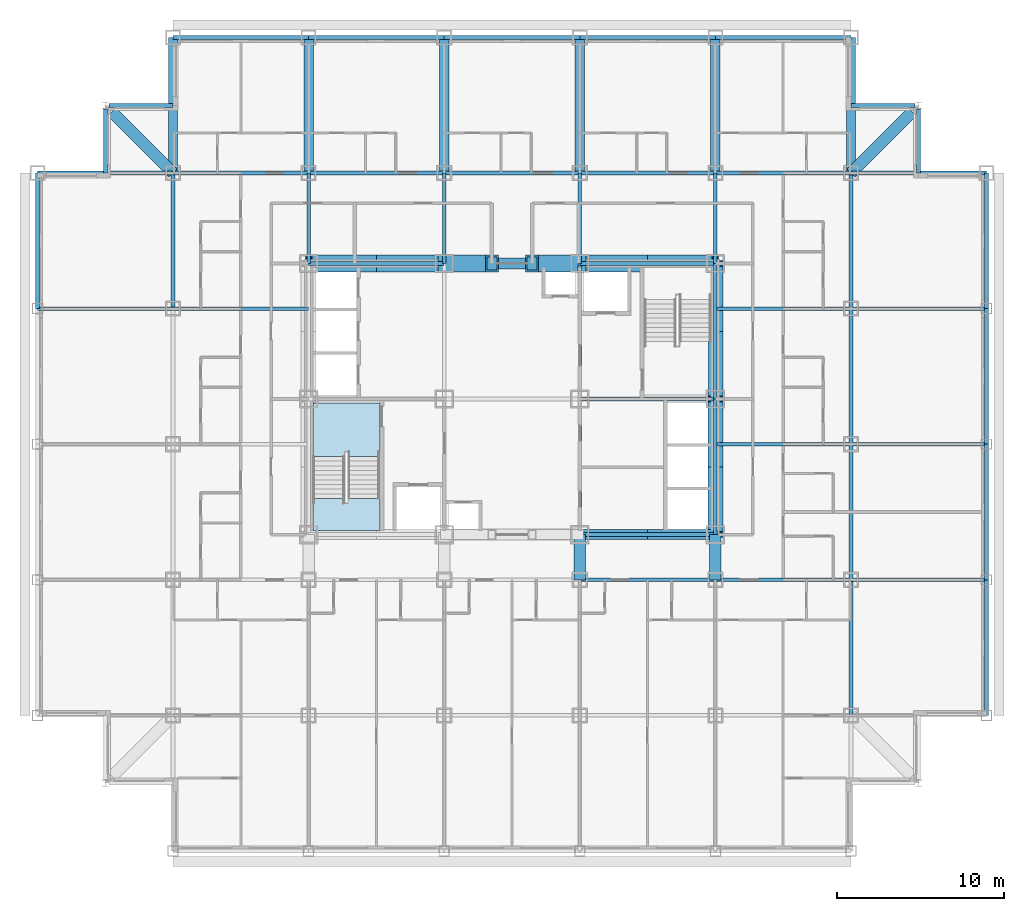
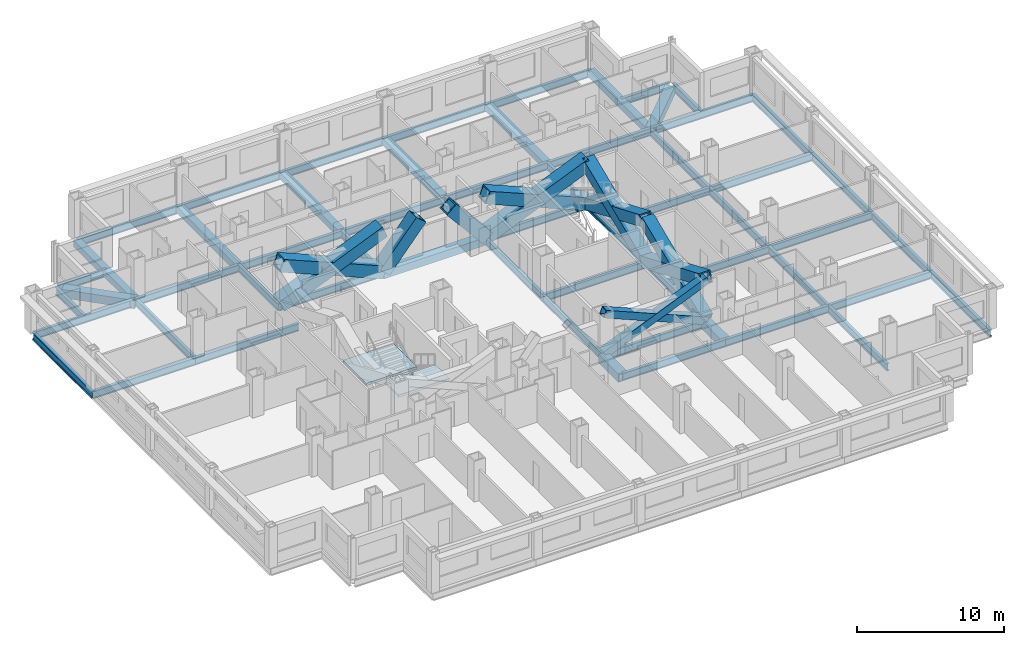
# One storey, part 2 of 12: 58 beams, 12 members, 2 slabs, 1 element without a shape of its own.
"""IFC4 building model written with IfcOpenShell, lengths in metres."""

from ifc_helpers import new_model, si_unit, direction, frame, origin, origin_2d, place, context, subcontext, project, spatial, polyline, hollow_rectangle, i_section, outline, extrude, material, layer, layer_set, material_profile, profile_set, type_object, element, aggregate, save


model = new_model("IFC4")

# Units and contexts
model_context = context("Model", 3, precision=1e-05, world=origin(), true_north=direction((0.0, 1.0)))
body_context = subcontext(model_context, "Body", "Model", "MODEL_VIEW")
ifc_project = project(units=[si_unit("LENGTHUNIT", "METRE"), si_unit("AREAUNIT", "SQUARE_METRE"), si_unit("VOLUMEUNIT", "CUBIC_METRE"), si_unit("PLANEANGLEUNIT", "RADIAN"), si_unit("MASSUNIT", "GRAM", prefix="KILO")], contexts=[model_context])

# Site, building, storey
site_placement = place(None, origin())
site = spatial("IfcSite", under=ifc_project, at=site_placement, CompositionType="ELEMENT")
building_placement = place(site_placement, origin())
building = spatial("IfcBuilding", under=site, at=building_placement, Name="Kopane Lantern Tower", CompositionType="ELEMENT")
storey_placement = place(building_placement, frame((0.0, 0.0, 106.800048828125)))
storey = spatial("IfcBuildingStorey", under=building, at=storey_placement, Name="L26", CompositionType="ELEMENT", Elevation=106.800048828125)

# Members
ifc_material_1 = material(Name="Steel S355JR", Category="steel")
ifc_material_profile_1 = material_profile(ifc_material_1, hollow_rectangle(XDim=1.0, YDim=1.0, WallThickness=0.10009765625, at=origin_2d()), Name="BOX 1000x1000x100")
ifc_profile_set_1 = profile_set([ifc_material_profile_1], Name="Steel S355JR")
member_type_1 = type_object("IfcMemberType", Name="BRACE BOX 1000x1000x100", PredefinedType="BRACE", material=ifc_profile_set_1)
for number, where, z_axis, x_axis, name in (
    (1, (16.199951171875, 40.5, -0.2099609375), (0.922069000757, 0.0, 0.387025526088), (0.0, 1.0, 0.0), "Core brace L26"),
    (2, (24.300048828125, 40.5, -0.2099609375), (-0.922069000757, 0.0, 0.387025526088), (0.0, -1.0, 0.0), "Core brace L26"),
):
    element("IfcMember", number, at=place(storey_placement, frame(where, z_axis=z_axis, x_axis=x_axis)), inside=storey, type_object=member_type_1, Name=name, PredefinedType="BRACE", context=body_context, shape_type="SweptSolid", body=[
        extrude(hollow_rectangle(XDim=1.0, YDim=1.0, WallThickness=0.10009765625, at=origin_2d()), origin(), (0.0, 0.0, 1.0), 8.78466796875),
    ])
for number, where, z_axis, x_axis, name in (
    (3, (24.300048828125, 40.5, -0.2099609375), (0.642390257445, 0.0, 0.7663776857), (0.0, 1.0, 0.0), "Core brace L26"),
    (4, (32.39990234375, 40.5, -0.2099609375), (-0.642390257445, 0.0, 0.7663776857), (0.0, -1.0, 0.0), "Core brace L26"),
):
    element("IfcMember", number, at=place(storey_placement, frame(where, z_axis=z_axis, x_axis=x_axis)), inside=storey, type_object=member_type_1, Name=name, PredefinedType="BRACE", context=body_context, shape_type="SweptSolid", body=[
        extrude(hollow_rectangle(XDim=1.0, YDim=1.0, WallThickness=0.10009765625, at=origin_2d()), origin(), (0.0, 0.0, 1.0), 4.436279296875),
    ])
for number, where, z_axis, x_axis, name in (
    (5, (32.39990234375, 40.5, -0.2099609375), (0.922069000757, 0.0, 0.387025526088), (0.0, 1.0, 0.0), "Core brace L26"),
    (6, (40.5, 40.5, -0.2099609375), (-0.922069000757, 0.0, 0.387025526088), (0.0, -1.0, 0.0), "Core brace L26"),
):
    element("IfcMember", number, at=place(storey_placement, frame(where, z_axis=z_axis, x_axis=x_axis)), inside=storey, type_object=member_type_1, Name=name, PredefinedType="BRACE", context=body_context, shape_type="SweptSolid", body=[
        extrude(hollow_rectangle(XDim=1.0, YDim=1.0, WallThickness=0.10009765625, at=origin_2d()), origin(), (0.0, 0.0, 1.0), 8.78466796875),
    ])
ifc_material_2 = material(Name="Steel S355JR", Category="steel")
ifc_material_profile_2 = material_profile(ifc_material_2, hollow_rectangle(XDim=0.60009765625, YDim=0.60009765625, WallThickness=0.050048828125, at=origin_2d()), Name="BOX 600x600x50")
ifc_profile_set_2 = profile_set([ifc_material_profile_2], Name="Steel S355JR")
member_type_2 = type_object("IfcMemberType", Name="BRACE BOX 600x600x50", PredefinedType="BRACE", material=ifc_profile_set_2)
for number, where, z_axis, x_axis, name in (
    (7, (32.39990234375, 24.300048828125, -0.2099609375), (0.922069000757, 0.0, 0.387025526088), (0.0, 1.0, 0.0), "Core brace L26"),
    (8, (40.5, 24.300048828125, -0.2099609375), (-0.922069000757, 0.0, 0.387025526088), (0.0, -1.0, 0.0), "Core brace L26"),
):
    element("IfcMember", number, at=place(storey_placement, frame(where, z_axis=z_axis, x_axis=x_axis)), inside=storey, type_object=member_type_2, Name=name, PredefinedType="BRACE", context=body_context, shape_type="SweptSolid", body=[
        extrude(hollow_rectangle(XDim=0.60009765625, YDim=0.60009765625, WallThickness=0.050048828125, at=origin_2d()), origin(), (0.0, 0.0, 1.0), 8.78466796875),
    ])
ifc_material_3 = material(Name="Steel S355JR", Category="steel")
ifc_material_profile_3 = material_profile(ifc_material_3, hollow_rectangle(XDim=0.89990234375, YDim=0.89990234375, WallThickness=0.090087890625, at=origin_2d()), Name="BOX 900x900x90")
ifc_profile_set_3 = profile_set([ifc_material_profile_3], Name="Steel S355JR")
member_type_3 = type_object("IfcMemberType", Name="BRACE BOX 900x900x90", PredefinedType="BRACE", material=ifc_profile_set_3)
for number, where, z_axis, x_axis, name in (
    (9, (40.5, 24.300048828125, -0.2099609375), (0.0, 0.922064837731, 0.38703544414), (-1.0, 0.0, 0.0), "Core brace L26"),
    (10, (40.5, 32.39990234375, -0.2099609375), (0.0, -0.922064837731, 0.38703544414), (1.0, 0.0, 0.0), "Core brace L26"),
):
    element("IfcMember", number, at=place(storey_placement, frame(where, z_axis=z_axis, x_axis=x_axis)), inside=storey, type_object=member_type_3, Name=name, PredefinedType="BRACE", context=body_context, shape_type="SweptSolid", body=[
        extrude(hollow_rectangle(XDim=0.89990234375, YDim=0.89990234375, WallThickness=0.090087890625, at=origin_2d()), origin(), (0.0, 0.0, 1.0), 8.784423828125),
    ])
for number, where, z_axis, x_axis, name in (
    (11, (40.5, 32.39990234375, -0.2099609375), (0.0, 0.922069000757, 0.387025526088), (-1.0, 0.0, 0.0), "Core brace L26"),
    (12, (40.5, 40.5, -0.2099609375), (0.0, -0.922069000757, 0.387025526088), (1.0, 0.0, 0.0), "Core brace L26"),
):
    element("IfcMember", number, at=place(storey_placement, frame(where, z_axis=z_axis, x_axis=x_axis)), inside=storey, type_object=member_type_3, Name=name, PredefinedType="BRACE", context=body_context, shape_type="SweptSolid", body=[
        extrude(hollow_rectangle(XDim=0.89990234375, YDim=0.89990234375, WallThickness=0.090087890625, at=origin_2d()), origin(), (0.0, 0.0, 1.0), 8.78466796875),
    ])

# Beams
ifc_material_4 = material(Name="Steel S355JR", Category="steel")
ifc_material_profile_4 = material_profile(ifc_material_4, i_section(OverallWidth=0.22900390625, OverallDepth=0.6123046875, WebThickness=0.011962890625, FlangeThickness=0.01953125, FilletRadius=0.0126953125, at=origin_2d()), Name="UB 610x229x125")
ifc_profile_set_4 = profile_set([ifc_material_profile_4], Name="Steel S355JR")
beam_type_1 = type_object("IfcBeamType", Name="CORE BEAM UB 610x229x125", PredefinedType="BEAM", material=ifc_profile_set_4)
beam_1_placement = place(storey_placement, frame((32.39990234375, 24.300048828125, -0.51611328125), z_axis=(0.0, 1.0, 0.0), x_axis=(-1.0, 0.0, 0.0)))
element("IfcBeam", 13, at=beam_1_placement, inside=storey, type_object=beam_type_1, Name="Core Beam L26", PredefinedType="BEAM", context=body_context, shape_type="SweptSolid", body=[
    extrude(i_section(OverallWidth=0.22900390625, OverallDepth=0.6123046875, WebThickness=0.011962890625, FlangeThickness=0.01953125, FilletRadius=0.0126953125, at=origin_2d()), origin(), (0.0, 0.0, 1.0), 8.099853515625),
])
for number, where, z_axis, x_axis, name in (
    (14, (32.39990234375, 32.39990234375, -0.51611328125), (0.0, 1.0, 0.0), (-1.0, 0.0, 0.0), "Core Beam L26"),
    (15, (32.39990234375, 32.39990234375, -0.51611328125), (1.0, 0.0, 0.0), (0.0, 1.0, 0.0), "Core Beam L26"),
):
    element("IfcBeam", number, at=place(storey_placement, frame(where, z_axis=z_axis, x_axis=x_axis)), inside=storey, type_object=beam_type_1, Name=name, PredefinedType="BEAM", context=body_context, shape_type="SweptSolid", body=[
        extrude(i_section(OverallWidth=0.22900390625, OverallDepth=0.6123046875, WebThickness=0.011962890625, FlangeThickness=0.01953125, FilletRadius=0.0126953125, at=origin_2d()), origin(), (0.0, 0.0, 1.0), 8.10009765625),
    ])
ifc_material_5 = material(Name="Steel S355JR", Category="steel")
ifc_material_profile_5 = material_profile(ifc_material_5, hollow_rectangle(XDim=0.699951171875, YDim=0.699951171875, WallThickness=0.06005859375, at=origin_2d()), Name="BOX 700x700x60")
ifc_profile_set_5 = profile_set([ifc_material_profile_5], Name="Steel S355JR")
beam_type_2 = type_object("IfcBeamType", Name="CORNER TIE BEAM BOX 700x700x60", PredefinedType="BEAM", material=ifc_profile_set_5)
beam_2_placement = place(storey_placement, frame((4.447509765625, 49.552490234375, -0.56005859375), z_axis=(0.707106781187, -0.707106781187, 0.0), x_axis=(0.707106781187, 0.707106781187, 0.0)))
element("IfcBeam", 16, at=beam_2_placement, inside=storey, type_object=beam_type_2, Name="Corner Tie Beam L26", PredefinedType="BEAM", context=body_context, shape_type="SweptSolid", body=[
    extrude(hollow_rectangle(XDim=0.699951171875, YDim=0.699951171875, WallThickness=0.06005859375, at=origin_2d()), origin(), (0.0, 0.0, 1.0), 5.16552734375),
])
beam_3_placement = place(storey_placement, frame((52.25244140625, 49.552490234375, -0.56005859375), z_axis=(-0.707083148333, -0.70713041325, 0.0), x_axis=(0.70713041325, -0.707083148333, 0.0)))
element("IfcBeam", 17, at=beam_3_placement, inside=storey, type_object=beam_type_2, Name="Corner Tie Beam L26", PredefinedType="BEAM", context=body_context, shape_type="SweptSolid", body=[
    extrude(hollow_rectangle(XDim=0.699951171875, YDim=0.699951171875, WallThickness=0.06005859375, at=origin_2d()), origin(), (0.0, 0.0, 1.0), 5.165283203125),
])
ifc_material_6 = material(Name="Steel S355JR", Category="steel")
ifc_material_profile_6 = material_profile(ifc_material_6, i_section(OverallWidth=0.22900390625, OverallDepth=0.6123046875, WebThickness=0.011962890625, FlangeThickness=0.01953125, FilletRadius=0.0126953125, at=origin_2d()), Name="UB 610x229x125")
ifc_profile_set_6 = profile_set([ifc_material_profile_6], Name="Steel S355JR")
beam_type_3 = type_object("IfcBeamType", Name="EDGE BEAM UB 610x229x125", PredefinedType="BEAM", material=ifc_profile_set_6)
for number, where, z_axis, x_axis, name in (
    (18, (4.050048828125, 49.74658203125, -0.51611328125), (0.0, -1.0, 0.0), (1.0, 0.0, 0.0), "Edge Beam L26"),
    (19, (4.25341796875, 49.949951171875, -0.51611328125), (1.0, 0.0, 0.0), (0.0, 1.0, 0.0), "Edge Beam L26"),
):
    element("IfcBeam", number, at=place(storey_placement, frame(where, z_axis=z_axis, x_axis=x_axis)), inside=storey, type_object=beam_type_3, Name=name, PredefinedType="BEAM", context=body_context, shape_type="SweptSolid", body=[
        extrude(i_section(OverallWidth=0.22900390625, OverallDepth=0.6123046875, WebThickness=0.011962890625, FlangeThickness=0.01953125, FilletRadius=0.0126953125, at=origin_2d()), origin(), (0.0, 0.0, 1.0), 3.8466796875),
    ])
beam_4_placement = place(storey_placement, frame((52.446533203125, 49.949951171875, -0.51611328125), z_axis=(-1.0, 0.0, 0.0), x_axis=(0.0, -1.0, 0.0)))
element("IfcBeam", 20, at=beam_4_placement, inside=storey, type_object=beam_type_3, Name="Edge Beam L26", PredefinedType="BEAM", context=body_context, shape_type="SweptSolid", body=[
    extrude(i_section(OverallWidth=0.22900390625, OverallDepth=0.6123046875, WebThickness=0.011962890625, FlangeThickness=0.01953125, FilletRadius=0.0126953125, at=origin_2d()), origin(), (0.0, 0.0, 1.0), 3.846435546875),
])
beam_5_placement = place(storey_placement, frame((52.64990234375, 49.74658203125, -0.51611328125), z_axis=(0.0, -1.0, 0.0), x_axis=(1.0, 0.0, 0.0)))
element("IfcBeam", 21, at=beam_5_placement, inside=storey, type_object=beam_type_3, Name="Edge Beam L26", PredefinedType="BEAM", context=body_context, shape_type="SweptSolid", body=[
    extrude(i_section(OverallWidth=0.22900390625, OverallDepth=0.6123046875, WebThickness=0.011962890625, FlangeThickness=0.01953125, FilletRadius=0.0126953125, at=origin_2d()), origin(), (0.0, 0.0, 1.0), 3.8466796875),
])
ifc_material_7 = material(Name="Steel S355JR", Category="steel")
ifc_material_profile_7 = material_profile(ifc_material_7, hollow_rectangle(XDim=0.550048828125, YDim=0.550048828125, WallThickness=0.050048828125, at=origin_2d()), Name="BOX 550x550x50")
ifc_profile_set_7 = profile_set([ifc_material_profile_7], Name="Steel S355JR")
beam_type_4 = type_object("IfcBeamType", Name="GIRDER BOX 550x550x50", PredefinedType="BEAM", material=ifc_profile_set_7)
for number, where, z_axis, x_axis, name in (
    (22, (8.10009765625, 45.89990234375, -0.485107421875), (0.0, 1.0, 0.0), (-1.0, 0.0, 0.0), "Girder L26"),
    (23, (16.199951171875, 45.89990234375, -0.485107421875), (0.0, 1.0, 0.0), (-1.0, 0.0, 0.0), "Girder L26"),
    (24, (24.300048828125, 45.89990234375, -0.485107421875), (0.0, 1.0, 0.0), (-1.0, 0.0, 0.0), "Girder L26"),
    (25, (32.39990234375, 45.89990234375, -0.485107421875), (0.0, 1.0, 0.0), (-1.0, 0.0, 0.0), "Girder L26"),
    (26, (40.5, 45.89990234375, -0.485107421875), (0.0, 1.0, 0.0), (-1.0, 0.0, 0.0), "Girder L26"),
    (27, (48.60009765625, 45.89990234375, -0.485107421875), (0.0, 1.0, 0.0), (-1.0, 0.0, 0.0), "Girder L26"),
):
    element("IfcBeam", number, at=place(storey_placement, frame(where, z_axis=z_axis, x_axis=x_axis)), inside=storey, type_object=beam_type_4, Name=name, PredefinedType="BEAM", context=body_context, shape_type="SweptSolid", body=[
        extrude(hollow_rectangle(XDim=0.550048828125, YDim=0.550048828125, WallThickness=0.050048828125, at=origin_2d()), origin(), (0.0, 0.0, 1.0), 8.10009765625),
    ])
ifc_material_8 = material(Name="Steel S355JR", Category="steel")
ifc_material_profile_8 = material_profile(ifc_material_8, hollow_rectangle(XDim=0.699951171875, YDim=0.699951171875, WallThickness=0.06005859375, at=origin_2d()), Name="BOX 700x700x60")
ifc_profile_set_8 = profile_set([ifc_material_profile_8], Name="Steel S355JR")
beam_type_5 = type_object("IfcBeamType", Name="GIRDER BOX 700x700x60", PredefinedType="BEAM", material=ifc_profile_set_8)
for number, where, z_axis, x_axis, name in (
    (28, (32.39990234375, 21.60009765625, -0.56005859375), (0.0, 1.0, 0.0), (-1.0, 0.0, 0.0), "Girder L26"),
    (29, (40.5, 21.60009765625, -0.56005859375), (0.0, 1.0, 0.0), (-1.0, 0.0, 0.0), "Girder L26"),
):
    element("IfcBeam", number, at=place(storey_placement, frame(where, z_axis=z_axis, x_axis=x_axis)), inside=storey, type_object=beam_type_5, Name=name, PredefinedType="BEAM", context=body_context, shape_type="SweptSolid", body=[
        extrude(hollow_rectangle(XDim=0.699951171875, YDim=0.699951171875, WallThickness=0.06005859375, at=origin_2d()), origin(), (0.0, 0.0, 1.0), 2.699951171875),
    ])
ifc_material_9 = material(Name="Steel S355JR", Category="steel")
ifc_material_profile_9 = material_profile(ifc_material_9, i_section(OverallWidth=0.22900390625, OverallDepth=0.6123046875, WebThickness=0.011962890625, FlangeThickness=0.01953125, FilletRadius=0.0126953125, at=origin_2d()), Name="UB 610x229x125")
ifc_profile_set_9 = profile_set([ifc_material_profile_9], Name="Steel S355JR")
beam_type_6 = type_object("IfcBeamType", Name="GIRDER UB 610x229x125", PredefinedType="BEAM", material=ifc_profile_set_9)
beam_6_placement = place(storey_placement, frame((0.0, 37.800048828125, -0.51611328125), z_axis=(0.0, 1.0, 0.0), x_axis=(-1.0, 0.0, 0.0)))
element("IfcBeam", 30, at=beam_6_placement, inside=storey, type_object=beam_type_6, Name="Girder L26", PredefinedType="BEAM", context=body_context, shape_type="SweptSolid", body=[
    extrude(i_section(OverallWidth=0.22900390625, OverallDepth=0.6123046875, WebThickness=0.011962890625, FlangeThickness=0.01953125, FilletRadius=0.0126953125, at=origin_2d()), origin(), (0.0, 0.0, 1.0), 8.099853515625),
])
for number, where, z_axis, x_axis, name in (
    (31, (0.0, 37.800048828125, -0.51611328125), (1.0, 0.0, 0.0), (0.0, 1.0, 0.0), "Girder L26"),
    (32, (0.0, 45.89990234375, -0.51611328125), (1.0, 0.0, 0.0), (0.0, 1.0, 0.0), "Girder L26"),
):
    element("IfcBeam", number, at=place(storey_placement, frame(where, z_axis=z_axis, x_axis=x_axis)), inside=storey, type_object=beam_type_6, Name=name, PredefinedType="BEAM", context=body_context, shape_type="SweptSolid", body=[
        extrude(i_section(OverallWidth=0.22900390625, OverallDepth=0.6123046875, WebThickness=0.011962890625, FlangeThickness=0.01953125, FilletRadius=0.0126953125, at=origin_2d()), origin(), (0.0, 0.0, 1.0), 8.10009765625),
    ])
for number, where, z_axis, x_axis, name in (
    (33, (8.10009765625, 37.800048828125, -0.51611328125), (0.0, 1.0, 0.0), (-1.0, 0.0, 0.0), "Girder L26"),
    (34, (8.10009765625, 37.800048828125, -0.51611328125), (1.0, 0.0, 0.0), (0.0, 1.0, 0.0), "Girder L26"),
    (35, (8.10009765625, 45.89990234375, -0.51611328125), (1.0, 0.0, 0.0), (0.0, 1.0, 0.0), "Girder L26"),
    (36, (8.10009765625, 54.0, -0.51611328125), (1.0, 0.0, 0.0), (0.0, 1.0, 0.0), "Girder L26"),
):
    element("IfcBeam", number, at=place(storey_placement, frame(where, z_axis=z_axis, x_axis=x_axis)), inside=storey, type_object=beam_type_6, Name=name, PredefinedType="BEAM", context=body_context, shape_type="SweptSolid", body=[
        extrude(i_section(OverallWidth=0.22900390625, OverallDepth=0.6123046875, WebThickness=0.011962890625, FlangeThickness=0.01953125, FilletRadius=0.0126953125, at=origin_2d()), origin(), (0.0, 0.0, 1.0), 8.099853515625),
    ])
beam_7_placement = place(storey_placement, frame((16.199951171875, 40.5, -0.51611328125), z_axis=(0.0, 1.0, 0.0), x_axis=(-1.0, 0.0, 0.0)))
element("IfcBeam", 37, at=beam_7_placement, inside=storey, type_object=beam_type_6, Name="Girder L26", PredefinedType="BEAM", context=body_context, shape_type="SweptSolid", body=[
    extrude(i_section(OverallWidth=0.22900390625, OverallDepth=0.6123046875, WebThickness=0.011962890625, FlangeThickness=0.01953125, FilletRadius=0.0126953125, at=origin_2d()), origin(), (0.0, 0.0, 1.0), 5.39990234375),
])
for number, where, z_axis, x_axis, name in (
    (38, (16.199951171875, 40.5, -0.51611328125), (1.0, 0.0, 0.0), (0.0, 1.0, 0.0), "Girder L26"),
    (39, (16.199951171875, 45.89990234375, -0.51611328125), (1.0, 0.0, 0.0), (0.0, 1.0, 0.0), "Girder L26"),
    (40, (16.199951171875, 54.0, -0.51611328125), (1.0, 0.0, 0.0), (0.0, 1.0, 0.0), "Girder L26"),
):
    element("IfcBeam", number, at=place(storey_placement, frame(where, z_axis=z_axis, x_axis=x_axis)), inside=storey, type_object=beam_type_6, Name=name, PredefinedType="BEAM", context=body_context, shape_type="SweptSolid", body=[
        extrude(i_section(OverallWidth=0.22900390625, OverallDepth=0.6123046875, WebThickness=0.011962890625, FlangeThickness=0.01953125, FilletRadius=0.0126953125, at=origin_2d()), origin(), (0.0, 0.0, 1.0), 8.10009765625),
    ])
beam_8_placement = place(storey_placement, frame((24.300048828125, 40.5, -0.51611328125), z_axis=(0.0, 1.0, 0.0), x_axis=(-1.0, 0.0, 0.0)))
element("IfcBeam", 41, at=beam_8_placement, inside=storey, type_object=beam_type_6, Name="Girder L26", PredefinedType="BEAM", context=body_context, shape_type="SweptSolid", body=[
    extrude(i_section(OverallWidth=0.22900390625, OverallDepth=0.6123046875, WebThickness=0.011962890625, FlangeThickness=0.01953125, FilletRadius=0.0126953125, at=origin_2d()), origin(), (0.0, 0.0, 1.0), 5.39990234375),
])
for number, where, z_axis, x_axis, name in (
    (42, (24.300048828125, 45.89990234375, -0.51611328125), (1.0, 0.0, 0.0), (0.0, 1.0, 0.0), "Girder L26"),
    (43, (24.300048828125, 54.0, -0.51611328125), (1.0, 0.0, 0.0), (0.0, 1.0, 0.0), "Girder L26"),
):
    element("IfcBeam", number, at=place(storey_placement, frame(where, z_axis=z_axis, x_axis=x_axis)), inside=storey, type_object=beam_type_6, Name=name, PredefinedType="BEAM", context=body_context, shape_type="SweptSolid", body=[
        extrude(i_section(OverallWidth=0.22900390625, OverallDepth=0.6123046875, WebThickness=0.011962890625, FlangeThickness=0.01953125, FilletRadius=0.0126953125, at=origin_2d()), origin(), (0.0, 0.0, 1.0), 8.099853515625),
    ])
for number, where, z_axis, x_axis, name in (
    (44, (32.39990234375, 21.60009765625, -0.51611328125), (1.0, 0.0, 0.0), (0.0, 1.0, 0.0), "Girder L26"),
    (45, (32.39990234375, 24.300048828125, -0.51611328125), (1.0, 0.0, 0.0), (0.0, 1.0, 0.0), "Girder L26"),
):
    element("IfcBeam", number, at=place(storey_placement, frame(where, z_axis=z_axis, x_axis=x_axis)), inside=storey, type_object=beam_type_6, Name=name, PredefinedType="BEAM", context=body_context, shape_type="SweptSolid", body=[
        extrude(i_section(OverallWidth=0.22900390625, OverallDepth=0.6123046875, WebThickness=0.011962890625, FlangeThickness=0.01953125, FilletRadius=0.0126953125, at=origin_2d()), origin(), (0.0, 0.0, 1.0), 8.10009765625),
    ])
beam_9_placement = place(storey_placement, frame((32.39990234375, 40.5, -0.51611328125), z_axis=(0.0, 1.0, 0.0), x_axis=(-1.0, 0.0, 0.0)))
element("IfcBeam", 46, at=beam_9_placement, inside=storey, type_object=beam_type_6, Name="Girder L26", PredefinedType="BEAM", context=body_context, shape_type="SweptSolid", body=[
    extrude(i_section(OverallWidth=0.22900390625, OverallDepth=0.6123046875, WebThickness=0.011962890625, FlangeThickness=0.01953125, FilletRadius=0.0126953125, at=origin_2d()), origin(), (0.0, 0.0, 1.0), 5.39990234375),
])
for number, where, z_axis, x_axis, name in (
    (47, (32.39990234375, 40.5, -0.51611328125), (1.0, 0.0, 0.0), (0.0, 1.0, 0.0), "Girder L26"),
    (48, (32.39990234375, 45.89990234375, -0.51611328125), (1.0, 0.0, 0.0), (0.0, 1.0, 0.0), "Girder L26"),
    (49, (32.39990234375, 54.0, -0.51611328125), (1.0, 0.0, 0.0), (0.0, 1.0, 0.0), "Girder L26"),
    (50, (40.5, 21.60009765625, -0.51611328125), (1.0, 0.0, 0.0), (0.0, 1.0, 0.0), "Girder L26"),
):
    element("IfcBeam", number, at=place(storey_placement, frame(where, z_axis=z_axis, x_axis=x_axis)), inside=storey, type_object=beam_type_6, Name=name, PredefinedType="BEAM", context=body_context, shape_type="SweptSolid", body=[
        extrude(i_section(OverallWidth=0.22900390625, OverallDepth=0.6123046875, WebThickness=0.011962890625, FlangeThickness=0.01953125, FilletRadius=0.0126953125, at=origin_2d()), origin(), (0.0, 0.0, 1.0), 8.10009765625),
    ])
beam_10_placement = place(storey_placement, frame((40.5, 24.300048828125, -0.51611328125), z_axis=(0.0, 1.0, 0.0), x_axis=(-1.0, 0.0, 0.0)))
element("IfcBeam", 51, at=beam_10_placement, inside=storey, type_object=beam_type_6, Name="Girder L26", PredefinedType="BEAM", context=body_context, shape_type="SweptSolid", body=[
    extrude(i_section(OverallWidth=0.22900390625, OverallDepth=0.6123046875, WebThickness=0.011962890625, FlangeThickness=0.01953125, FilletRadius=0.0126953125, at=origin_2d()), origin(), (0.0, 0.0, 1.0), 8.099853515625),
])
for number, where, z_axis, x_axis, name in (
    (52, (40.5, 29.699951171875, -0.51611328125), (1.0, 0.0, 0.0), (0.0, 1.0, 0.0), "Girder L26"),
    (53, (40.5, 32.39990234375, -0.51611328125), (0.0, 1.0, 0.0), (-1.0, 0.0, 0.0), "Girder L26"),
    (54, (40.5, 37.800048828125, -0.51611328125), (1.0, 0.0, 0.0), (0.0, 1.0, 0.0), "Girder L26"),
):
    element("IfcBeam", number, at=place(storey_placement, frame(where, z_axis=z_axis, x_axis=x_axis)), inside=storey, type_object=beam_type_6, Name=name, PredefinedType="BEAM", context=body_context, shape_type="SweptSolid", body=[
        extrude(i_section(OverallWidth=0.22900390625, OverallDepth=0.6123046875, WebThickness=0.011962890625, FlangeThickness=0.01953125, FilletRadius=0.0126953125, at=origin_2d()), origin(), (0.0, 0.0, 1.0), 8.10009765625),
    ])
beam_11_placement = place(storey_placement, frame((40.5, 40.5, -0.51611328125), z_axis=(0.0, 1.0, 0.0), x_axis=(-1.0, 0.0, 0.0)))
element("IfcBeam", 55, at=beam_11_placement, inside=storey, type_object=beam_type_6, Name="Girder L26", PredefinedType="BEAM", context=body_context, shape_type="SweptSolid", body=[
    extrude(i_section(OverallWidth=0.22900390625, OverallDepth=0.6123046875, WebThickness=0.011962890625, FlangeThickness=0.01953125, FilletRadius=0.0126953125, at=origin_2d()), origin(), (0.0, 0.0, 1.0), 5.39990234375),
])
for number, where, z_axis, x_axis, name in (
    (56, (40.5, 45.89990234375, -0.51611328125), (1.0, 0.0, 0.0), (0.0, 1.0, 0.0), "Girder L26"),
    (57, (40.5, 54.0, -0.51611328125), (1.0, 0.0, 0.0), (0.0, 1.0, 0.0), "Girder L26"),
    (58, (48.60009765625, 13.5, -0.51611328125), (0.0, 1.0, 0.0), (-1.0, 0.0, 0.0), "Girder L26"),
):
    element("IfcBeam", number, at=place(storey_placement, frame(where, z_axis=z_axis, x_axis=x_axis)), inside=storey, type_object=beam_type_6, Name=name, PredefinedType="BEAM", context=body_context, shape_type="SweptSolid", body=[
        extrude(i_section(OverallWidth=0.22900390625, OverallDepth=0.6123046875, WebThickness=0.011962890625, FlangeThickness=0.01953125, FilletRadius=0.0126953125, at=origin_2d()), origin(), (0.0, 0.0, 1.0), 8.10009765625),
    ])
for number, where, z_axis, x_axis, name in (
    (59, (48.60009765625, 21.60009765625, -0.51611328125), (0.0, 1.0, 0.0), (-1.0, 0.0, 0.0), "Girder L26"),
    (60, (48.60009765625, 21.60009765625, -0.51611328125), (1.0, 0.0, 0.0), (0.0, 1.0, 0.0), "Girder L26"),
):
    element("IfcBeam", number, at=place(storey_placement, frame(where, z_axis=z_axis, x_axis=x_axis)), inside=storey, type_object=beam_type_6, Name=name, PredefinedType="BEAM", context=body_context, shape_type="SweptSolid", body=[
        extrude(i_section(OverallWidth=0.22900390625, OverallDepth=0.6123046875, WebThickness=0.011962890625, FlangeThickness=0.01953125, FilletRadius=0.0126953125, at=origin_2d()), origin(), (0.0, 0.0, 1.0), 8.099853515625),
    ])
beam_12_placement = place(storey_placement, frame((48.60009765625, 29.699951171875, -0.51611328125), z_axis=(0.0, 1.0, 0.0), x_axis=(-1.0, 0.0, 0.0)))
element("IfcBeam", 61, at=beam_12_placement, inside=storey, type_object=beam_type_6, Name="Girder L26", PredefinedType="BEAM", context=body_context, shape_type="SweptSolid", body=[
    extrude(i_section(OverallWidth=0.22900390625, OverallDepth=0.6123046875, WebThickness=0.011962890625, FlangeThickness=0.01953125, FilletRadius=0.0126953125, at=origin_2d()), origin(), (0.0, 0.0, 1.0), 8.10009765625),
])
for number, where, z_axis, x_axis, name in (
    (62, (48.60009765625, 29.699951171875, -0.51611328125), (1.0, 0.0, 0.0), (0.0, 1.0, 0.0), "Girder L26"),
    (63, (48.60009765625, 37.800048828125, -0.51611328125), (0.0, 1.0, 0.0), (-1.0, 0.0, 0.0), "Girder L26"),
    (64, (48.60009765625, 37.800048828125, -0.51611328125), (1.0, 0.0, 0.0), (0.0, 1.0, 0.0), "Girder L26"),
    (65, (48.60009765625, 45.89990234375, -0.51611328125), (1.0, 0.0, 0.0), (0.0, 1.0, 0.0), "Girder L26"),
):
    element("IfcBeam", number, at=place(storey_placement, frame(where, z_axis=z_axis, x_axis=x_axis)), inside=storey, type_object=beam_type_6, Name=name, PredefinedType="BEAM", context=body_context, shape_type="SweptSolid", body=[
        extrude(i_section(OverallWidth=0.22900390625, OverallDepth=0.6123046875, WebThickness=0.011962890625, FlangeThickness=0.01953125, FilletRadius=0.0126953125, at=origin_2d()), origin(), (0.0, 0.0, 1.0), 8.099853515625),
    ])
beam_13_placement = place(storey_placement, frame((56.699951171875, 13.5, -0.51611328125), z_axis=(0.0, 1.0, 0.0), x_axis=(-1.0, 0.0, 0.0)))
element("IfcBeam", 66, at=beam_13_placement, inside=storey, type_object=beam_type_6, Name="Girder L26", PredefinedType="BEAM", context=body_context, shape_type="SweptSolid", body=[
    extrude(i_section(OverallWidth=0.22900390625, OverallDepth=0.6123046875, WebThickness=0.011962890625, FlangeThickness=0.01953125, FilletRadius=0.0126953125, at=origin_2d()), origin(), (0.0, 0.0, 1.0), 8.10009765625),
])
beam_14_placement = place(storey_placement, frame((56.699951171875, 21.60009765625, -0.51611328125), z_axis=(0.0, 1.0, 0.0), x_axis=(-1.0, 0.0, 0.0)))
element("IfcBeam", 67, at=beam_14_placement, inside=storey, type_object=beam_type_6, Name="Girder L26", PredefinedType="BEAM", context=body_context, shape_type="SweptSolid", body=[
    extrude(i_section(OverallWidth=0.22900390625, OverallDepth=0.6123046875, WebThickness=0.011962890625, FlangeThickness=0.01953125, FilletRadius=0.0126953125, at=origin_2d()), origin(), (0.0, 0.0, 1.0), 8.099853515625),
])
beam_15_placement = place(storey_placement, frame((56.699951171875, 29.699951171875, -0.51611328125), z_axis=(0.0, 1.0, 0.0), x_axis=(-1.0, 0.0, 0.0)))
element("IfcBeam", 68, at=beam_15_placement, inside=storey, type_object=beam_type_6, Name="Girder L26", PredefinedType="BEAM", context=body_context, shape_type="SweptSolid", body=[
    extrude(i_section(OverallWidth=0.22900390625, OverallDepth=0.6123046875, WebThickness=0.011962890625, FlangeThickness=0.01953125, FilletRadius=0.0126953125, at=origin_2d()), origin(), (0.0, 0.0, 1.0), 8.10009765625),
])
beam_16_placement = place(storey_placement, frame((56.699951171875, 37.800048828125, -0.51611328125), z_axis=(0.0, 1.0, 0.0), x_axis=(-1.0, 0.0, 0.0)))
element("IfcBeam", 69, at=beam_16_placement, inside=storey, type_object=beam_type_6, Name="Girder L26", PredefinedType="BEAM", context=body_context, shape_type="SweptSolid", body=[
    extrude(i_section(OverallWidth=0.22900390625, OverallDepth=0.6123046875, WebThickness=0.011962890625, FlangeThickness=0.01953125, FilletRadius=0.0126953125, at=origin_2d()), origin(), (0.0, 0.0, 1.0), 8.099853515625),
])
ifc_material_10 = material(Name="Steel S355JR", Category="steel")
ifc_material_profile_10 = material_profile(ifc_material_10, hollow_rectangle(XDim=0.64990234375, YDim=0.64990234375, WallThickness=0.070068359375, at=origin_2d()), Name="BOX 650x650x70")
ifc_profile_set_10 = profile_set([ifc_material_profile_10], Name="Steel S355JR")
beam_type_7 = type_object("IfcBeamType", Name="LINK BEAM BOX 650x650x70", PredefinedType="BEAM", material=ifc_profile_set_10)
beam_17_placement = place(storey_placement, frame((24.300048828125, 40.5, -0.53515625), z_axis=(1.0, 0.0, 0.0), x_axis=(0.0, 1.0, 0.0)))
element("IfcBeam", 70, at=beam_17_placement, inside=storey, type_object=beam_type_7, Name="Link Beam L26", PredefinedType="BEAM", context=body_context, shape_type="SweptSolid", body=[
    extrude(hollow_rectangle(XDim=0.64990234375, YDim=0.64990234375, WallThickness=0.070068359375, at=origin_2d()), origin(), (0.0, 0.0, 1.0), 8.099853515625),
])

# Stair, slabs
ifc_material_11 = material(Name="Steel S355JR", Category="steel")
stair_type = type_object("IfcStairType", Name="EXIT STAIR 1900 HALF TURN", PredefinedType="HALF_TURN_STAIR", material=ifc_material_11)
stair_placement = place(storey_placement, origin())
stair = element("IfcStair", 71, at=stair_placement, inside=storey, type_object=stair_type, Name="Exit stair ST1 L26", PredefinedType="HALF_TURN_STAIR")
ifc_material_12 = material(Name="Concrete C40/50", Category="concrete")
ifc_layer = layer(ifc_material_12, 0.199951171875)
ifc_layer_set = layer_set([ifc_layer], Name="STAIR LANDING 200")
slab_type = type_object("IfcSlabType", Name="STAIR LANDING 200", PredefinedType="LANDING", material=ifc_layer_set)
slab_1_placement = place(storey_placement, frame((0.0, 0.0, -0.199951171875)))
slab_1 = element("IfcSlab", 72, at=slab_1_placement, type_object=slab_type, Name="ST1 landing 1", PredefinedType="LANDING", context=body_context, shape_type="SweptSolid", body=[
    extrude(outline(polyline([(18.35009765625, 29.25), (18.550048828125, 29.25), (18.550048828125, 28.969970703125), (20.449951171875, 28.969970703125), (20.449951171875, 32.14990234375), (16.449951171875, 32.14990234375), (16.449951171875, 28.969970703125), (18.35009765625, 28.969970703125), (18.35009765625, 29.25)])), origin(), (0.0, 0.0, 1.0), 0.199951171875),
])
slab_2_placement = place(storey_placement, frame((0.0, 0.0, 1.5)))
slab_2 = element("IfcSlab", 73, at=slab_2_placement, type_object=slab_type, Name="ST1 landing 2", PredefinedType="LANDING", context=body_context, shape_type="SweptSolid", body=[
    extrude(outline(polyline([(20.449951171875, 26.449951171875), (18.550048828125, 26.449951171875), (18.550048828125, 26.169921875), (18.35009765625, 26.169921875), (18.35009765625, 26.449951171875), (16.449951171875, 26.449951171875), (16.449951171875, 24.550048828125), (20.449951171875, 24.550048828125), (20.449951171875, 26.449951171875)])), origin(), (0.0, 0.0, 1.0), 0.199951171875),
])
aggregate(stair, [slab_1, slab_2])

save(model, "model.ifc")
